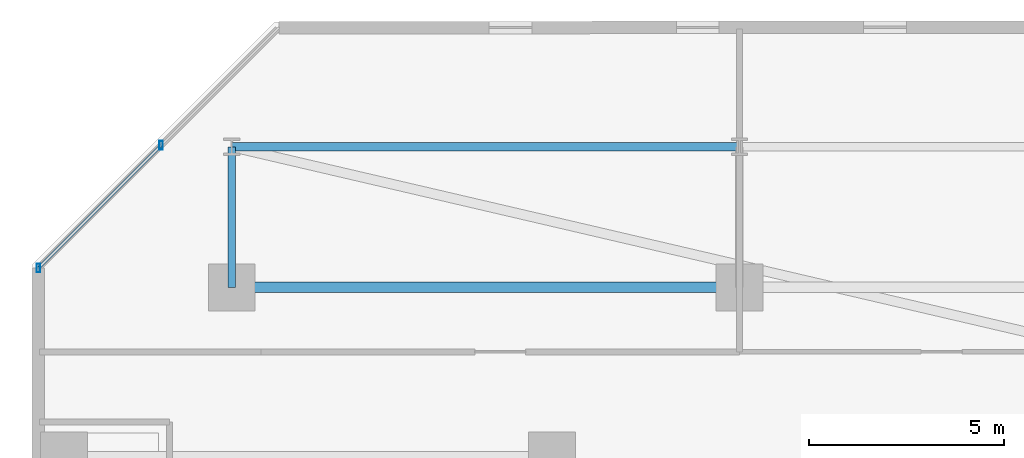
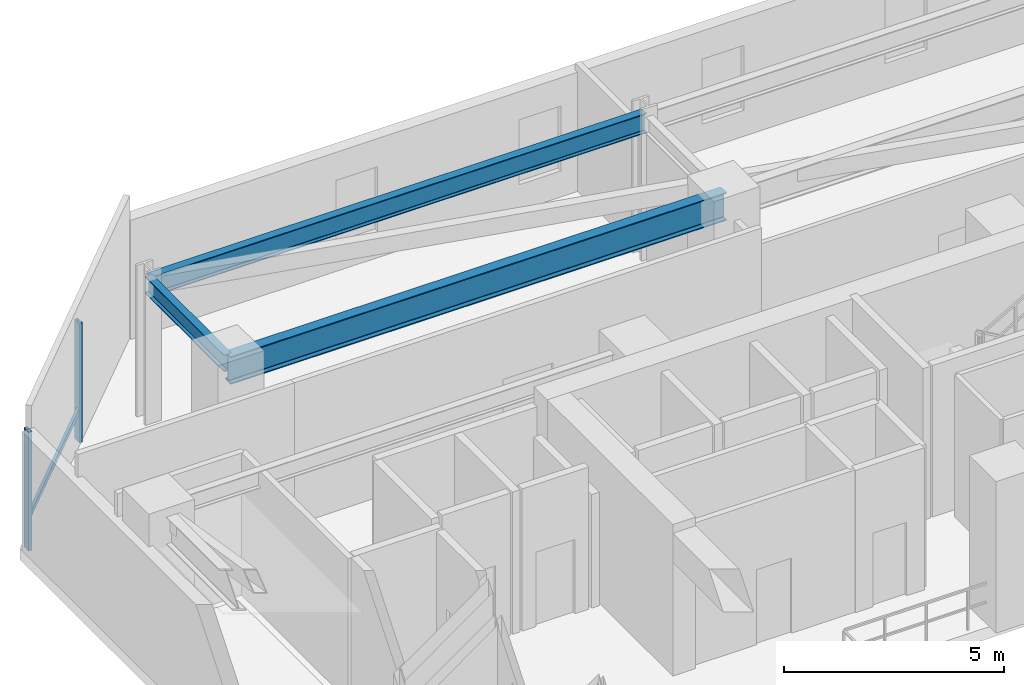
# One storey, part 8 of 30: 3 beams, 3 members, 1 element without a shape of its own.
"""IFC4 building model written with IfcOpenShell, lengths in metres."""

from ifc_helpers import new_model, si_unit, direction, frame, origin, origin_2d, place, context, subcontext, project, spatial, hollow_rectangle, i_section, extrude, material, material_profile, profile_set, type_object, element, aggregate, save


model = new_model("IFC4")

# Units and contexts
model_context = context("Model", 3, precision=1e-05, world=origin(), true_north=direction((0.0, 1.0)))
body_context = subcontext(model_context, "Body", "Model", "MODEL_VIEW")
ifc_project = project(units=[si_unit("LENGTHUNIT", "METRE"), si_unit("AREAUNIT", "SQUARE_METRE"), si_unit("VOLUMEUNIT", "CUBIC_METRE"), si_unit("PLANEANGLEUNIT", "RADIAN"), si_unit("MASSUNIT", "GRAM", prefix="KILO")], contexts=[model_context])

# Site, building, storey
site_placement = place(None, origin())
site = spatial("IfcSite", under=ifc_project, at=site_placement, CompositionType="ELEMENT")
building_placement = place(site_placement, origin())
building = spatial("IfcBuilding", under=site, at=building_placement, Name="Thornwick Lancets Civic Towers", CompositionType="ELEMENT")
storey_placement = place(building_placement, frame((0.0, 0.0, 75.89990234375)))
storey = spatial("IfcBuildingStorey", under=building, at=storey_placement, Name="L19", CompositionType="ELEMENT", Elevation=75.89990234375)

# Beams
ifc_material_1 = material(Name="Steel S355JR", Category="steel")
ifc_material_profile_1 = material_profile(ifc_material_1, i_section(OverallWidth=0.2119140625, OverallDepth=0.54443359375, WebThickness=0.0126953125, FlangeThickness=0.021240234375, FilletRadius=0.0126953125, at=origin_2d()), Name="UKB 533x210x122")
ifc_profile_set_1 = profile_set([ifc_material_profile_1], Name="Steel S355JR")
beam_type_1 = type_object("IfcBeamType", Name="BM_EDGE_533_122", PredefinedType="SPANDREL", material=ifc_profile_set_1)
beam_1_placement = place(storey_placement, frame((12.5, 47.89990234375, 3.687744140625), z_axis=(1.0, 0.0, 0.0), x_axis=(0.0, 1.0, 0.0)))
element("IfcBeam", 1, at=beam_1_placement, inside=storey, type_object=beam_type_1, Name="BM-EDGE-L19-A-S2-1", PredefinedType="SPANDREL", context=body_context, shape_type="SweptSolid", body=[
    extrude(i_section(OverallWidth=0.2119140625, OverallDepth=0.54443359375, WebThickness=0.0126953125, FlangeThickness=0.021240234375, FilletRadius=0.0126953125, at=origin_2d()), origin(), (0.0, 0.0, 1.0), 13.0),
])
ifc_material_profile_2 = material_profile(ifc_material_1, i_section(OverallWidth=0.26806640625, OverallDepth=0.769775390625, WebThickness=0.015625, FlangeThickness=0.025390625, FilletRadius=0.0166015625, at=origin_2d()), Name="UKB 762x267x197")
ifc_profile_set_2 = profile_set([ifc_material_profile_2], Name="Steel S355JR")
beam_type_2 = type_object("IfcBeamType", Name="BM_GIRD_762_197", PredefinedType="BEAM", material=ifc_profile_set_2)
beam_2_placement = place(storey_placement, frame((12.5, 44.300048828125, 3.5751953125), z_axis=(1.0, 0.0, 0.0), x_axis=(0.0, 1.0, 0.0)))
element("IfcBeam", 2, at=beam_2_placement, inside=storey, type_object=beam_type_2, Name="BM-SPINE-L19-A-6-7", PredefinedType="BEAM", context=body_context, shape_type="SweptSolid", body=[
    extrude(i_section(OverallWidth=0.26806640625, OverallDepth=0.769775390625, WebThickness=0.015625, FlangeThickness=0.025390625, FilletRadius=0.0166015625, at=origin_2d()), origin(), (0.0, 0.0, 1.0), 13.0),
])
ifc_material_profile_3 = material_profile(ifc_material_1, i_section(OverallWidth=0.19189453125, OverallDepth=0.46337890625, WebThickness=0.010498046875, FlangeThickness=0.017578125, FilletRadius=0.01025390625, at=origin_2d()), Name="UKB 457x191x89")
ifc_profile_set_3 = profile_set([ifc_material_profile_3], Name="Steel S355JR")
beam_type_3 = type_object("IfcBeamType", Name="BM_JOIST_457_89", PredefinedType="JOIST", material=ifc_profile_set_3)
beam_3_placement = place(storey_placement, frame((12.5, 44.300048828125, 3.728515625), z_axis=(0.0, 1.0, 0.0), x_axis=(-1.0, 0.0, 0.0)))
element("IfcBeam", 3, at=beam_3_placement, inside=storey, type_object=beam_type_3, Name="BM-RAD-L19-A07", PredefinedType="JOIST", context=body_context, shape_type="SweptSolid", body=[
    extrude(i_section(OverallWidth=0.19189453125, OverallDepth=0.46337890625, WebThickness=0.010498046875, FlangeThickness=0.017578125, FilletRadius=0.01025390625, at=origin_2d()), origin(), (0.0, 0.0, 1.0), 3.599853515625),
])

# Curtain wall, members
ifc_material_2 = material(Name="Low-zone chamfered-corner unitised glass curtain wall", Category="glass")
curtain_wall_type = type_object("IfcCurtainWallType", Name="CW_SYS_03", PredefinedType="NOTDEFINED", material=ifc_material_2)
curtain_wall_placement = place(storey_placement, origin())
curtain_wall = element("IfcCurtainWall", 4, at=curtain_wall_placement, inside=storey, type_object=curtain_wall_type, Name="L19 Curtain Wall CW-L19-A-E5", PredefinedType="NOTDEFINED")
ifc_material_3 = material(Name="Thermally broken bronze aluminium S355", Category="steel")
ifc_material_profile_4 = material_profile(ifc_material_3, hollow_rectangle(XDim=0.090087890625, YDim=0.219970703125, WallThickness=0.00634765625, at=origin_2d()), Name="RHS 220x90x6.3")
ifc_profile_set_4 = profile_set([ifc_material_profile_4], Name="Thermally broken bronze aluminium S355")
member_type_1 = type_object("IfcMemberType", Name="CW_MUL_220", PredefinedType="MULLION", material=ifc_profile_set_4)
member_1_placement = place(storey_placement, frame((10.69140625, 47.940673828125, 0.0), z_axis=(0.0, 0.0, 1.0), x_axis=(1.0, 0.0, 0.0)))
member_1 = element("IfcMember", 5, at=member_1_placement, type_object=member_type_1, Name="CW-L19-A-E5 Mullion 0", PredefinedType="MULLION", context=body_context, shape_type="SweptSolid", body=[
    extrude(hollow_rectangle(XDim=0.090087890625, YDim=0.219970703125, WallThickness=0.00634765625, at=origin_2d()), origin(), (0.0, 0.0, 1.0), 3.300048828125),
])
member_2_placement = place(storey_placement, frame((7.547119140625, 44.796142578125, 0.0), z_axis=(0.0, 0.0, 1.0), x_axis=(1.0, 0.0, 0.0)))
member_2 = element("IfcMember", 6, at=member_2_placement, type_object=member_type_1, Name="CW-L19-A-E5 Mullion 1", PredefinedType="MULLION", context=body_context, shape_type="SweptSolid", body=[
    extrude(hollow_rectangle(XDim=0.090087890625, YDim=0.219970703125, WallThickness=0.00634765625, at=origin_2d()), origin(), (0.0, 0.0, 1.0), 3.300048828125),
])
ifc_material_profile_5 = material_profile(ifc_material_3, hollow_rectangle(XDim=0.074951171875, YDim=0.14990234375, WallThickness=0.0048828125, at=origin_2d()), Name="RHS 150x75x5")
ifc_profile_set_5 = profile_set([ifc_material_profile_5], Name="Thermally broken bronze aluminium S355")
member_type_2 = type_object("IfcMemberType", Name="CW_TRN_150", PredefinedType="USERDEFINED", material=ifc_profile_set_5)
member_3_placement = place(storey_placement, frame((10.677490234375, 47.926513671875, 0.85009765625), z_axis=(-0.707134478822, -0.707079082466, 0.0), x_axis=(0.707079082466, -0.707134478822, 0.0)))
member_3 = element("IfcMember", 7, at=member_3_placement, type_object=member_type_2, Name="CW-L19-A-E5 Transom 0", ObjectType="TRANSOM", PredefinedType="USERDEFINED", context=body_context, shape_type="SweptSolid", body=[
    extrude(hollow_rectangle(XDim=0.074951171875, YDim=0.14990234375, WallThickness=0.0048828125, at=origin_2d()), origin(), (0.0, 0.0, 1.0), 4.4072265625),
])
aggregate(curtain_wall, [member_1, member_2, member_3])

save(model, "model.ifc")
